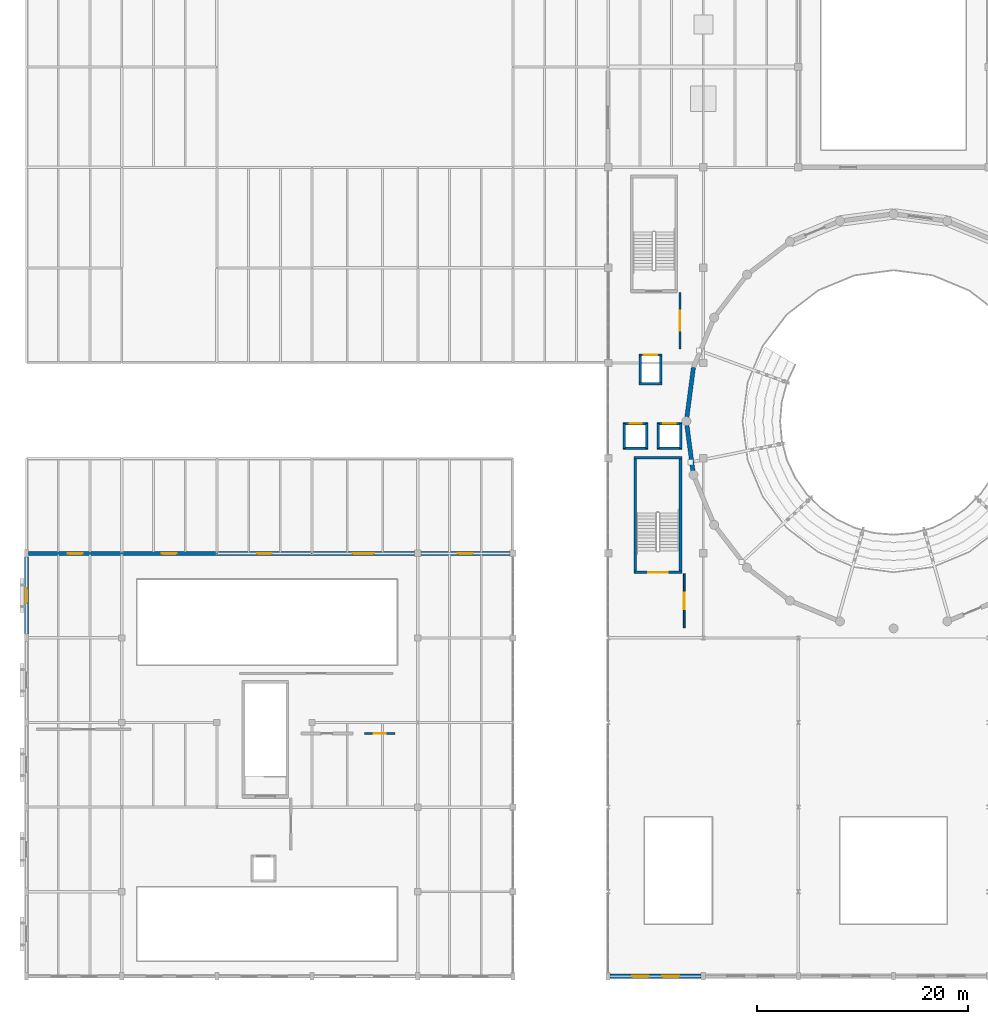
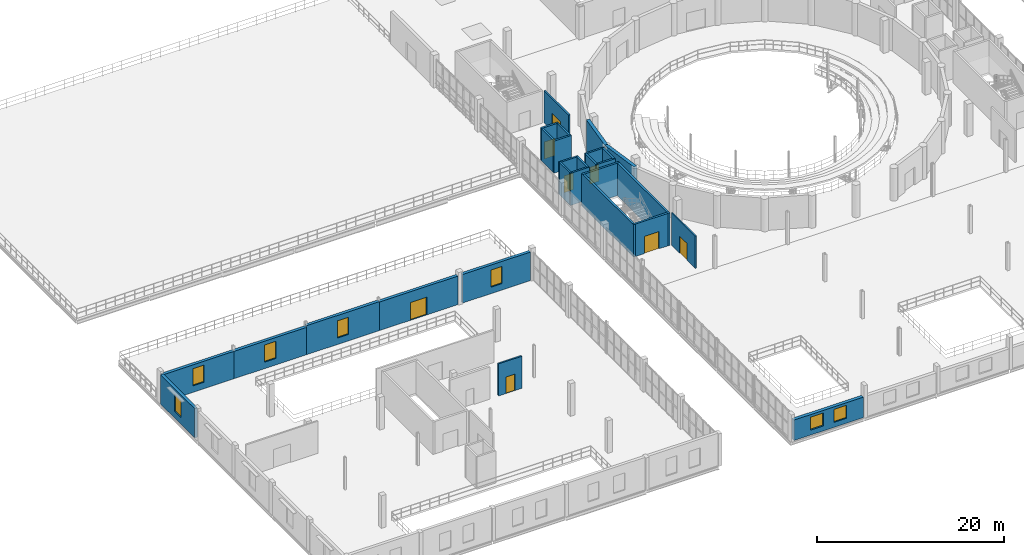
# One storey, part 55 of 73: 28 walls, 8 doors, 7 windows, 15 openings.
"""IFC4 building model written with IfcOpenShell, lengths in metres."""

from ifc_helpers import new_model, si_unit, direction, frame, frame_2d, origin, place, context, subcontext, project, spatial, rectangle, extrude, material, layer, layer_set, type_object, element, fill, save


model = new_model("IFC4")

# Units and contexts
model_context = context("Model", 3, precision=1e-05, world=origin(), true_north=direction((0.0, 1.0)))
body_context = subcontext(model_context, "Body", "Model", "MODEL_VIEW")
ifc_project = project(units=[si_unit("LENGTHUNIT", "METRE"), si_unit("AREAUNIT", "SQUARE_METRE"), si_unit("VOLUMEUNIT", "CUBIC_METRE"), si_unit("PLANEANGLEUNIT", "RADIAN"), si_unit("MASSUNIT", "GRAM", prefix="KILO")], contexts=[model_context])

# Site, building, storey
site_placement = place(None, origin())
site = spatial("IfcSite", under=ifc_project, at=site_placement, CompositionType="ELEMENT")
building_placement = place(site_placement, origin())
building = spatial("IfcBuilding", under=site, at=building_placement, Name="Marnock Terrace Opera House", CompositionType="ELEMENT")
storey_placement = place(building_placement, frame((0.0, 0.0, 14.699951171875)))
storey = spatial("IfcBuildingStorey", under=building, at=storey_placement, Name="L03", CompositionType="ELEMENT", Elevation=14.699951171875)

# Wall, opening, window
ifc_material_1 = material(Name="Basket Range sandstone ashlar masonry", Category="masonry")
ifc_layer_1 = layer(ifc_material_1, 0.364990234375)
ifc_layer_set_1 = layer_set([ifc_layer_1], Name="Basket Range sandstone ashlar masonry")
wall_type_1 = type_object("IfcWallType", Name="EW-ASHLAR-365", PredefinedType="SOLIDWALL", material=ifc_layer_set_1)
wall_1_placement = place(storey_placement, frame((0.0, 40.345947265625, 0.0), z_axis=(0.0, 0.0, 1.0), x_axis=(0.0, 1.0, 0.0)))
wall_1 = element("IfcWall", 1, at=wall_1_placement, inside=storey, type_object=wall_type_1, Name="L03 Volume 3 west sandstone wall 5", PredefinedType="SOLIDWALL", context=body_context, shape_type="SweptSolid", body=[
    extrude(rectangle(XDim=7.30810546875, YDim=0.364990234375, at=frame_2d((3.654052734375, 0.0))), origin(), (0.0, 0.0, 1.0), 3.841552734375),
])
opening_1_placement = place(wall_1_placement, frame((2.9541015625, 0.0, 0.85009765625)))
opening_1 = element("IfcOpeningElement", 2, at=opening_1_placement, cuts=wall_1, Name="Opening WT-139", PredefinedType="OPENING", context=body_context, shape_type="SweptSolid", body=[
    extrude(rectangle(XDim=1.39990234375, YDim=2.25, at=frame_2d((0.699951171875, 1.125))), frame((0.0, 0.1923828125, 0.0), z_axis=(0.0, -1.0, 0.0), x_axis=(1.0, 0.0, 0.0)), (0.0, 0.0, 1.0), 0.385009765625),
])
ifc_material_2 = material(Name="Double-glazed acoustic low-E laminated glass", Category="glass")
window_type_1 = type_object("IfcWindowType", Name="WT-SUITE-1400", PartitioningType="SINGLE_PANEL", PredefinedType="WINDOW", material=ifc_material_2)
window_1_placement = place(opening_1_placement, origin())
window_1 = element("IfcWindow", 3, at=window_1_placement, inside=storey, type_object=window_type_1, Name="L03 facade window EW-V3W-L03-5.1", OverallHeight=2.25, OverallWidth=1.39990234375, PartitioningType="SINGLE_PANEL", PredefinedType="WINDOW", context=body_context, shape_type="SweptSolid", body=[
    extrude(rectangle(XDim=1.39990234375, YDim=2.25, at=frame_2d((0.699951171875, 1.125))), frame((0.0, 0.030029296875, 0.0), z_axis=(0.0, -1.0, 0.0), x_axis=(1.0, 0.0, 0.0)), (0.0, 0.0, 1.0), 0.06005859375),
])
fill(opening_1, window_1)

wall_2_placement = place(storey_placement, frame((0.196044921875, 48.0, 0.0), z_axis=(0.0, 0.0, 1.0), x_axis=(1.0, 0.0, 0.0)))
wall_2 = element("IfcWall", 4, at=wall_2_placement, inside=storey, type_object=wall_type_1, Name="L03 Volume 3 north sandstone wall 1", PredefinedType="SOLIDWALL", context=body_context, shape_type="SweptSolid", body=[
    extrude(rectangle(XDim=8.803955078125, YDim=0.364990234375, at=frame_2d((4.40185546875, 0.0))), origin(), (0.0, 0.0, 1.0), 3.593017578125),
])
opening_2_placement = place(wall_2_placement, frame((3.701904296875, 0.0, 0.85009765625)))
opening_2 = element("IfcOpeningElement", 5, at=opening_2_placement, cuts=wall_2, Name="Opening WT-139", PredefinedType="OPENING", context=body_context, shape_type="SweptSolid", body=[
    extrude(rectangle(XDim=1.39990234375, YDim=2.25, at=frame_2d((0.699951171875, 1.125))), frame((0.0, 0.1923828125, 0.0), z_axis=(0.0, -1.0, 0.0), x_axis=(1.0, 0.0, 0.0)), (0.0, 0.0, 1.0), 0.385009765625),
])
window_2_placement = place(opening_2_placement, origin())
window_2 = element("IfcWindow", 6, at=window_2_placement, inside=storey, type_object=window_type_1, Name="L03 facade window EW-V3N-L03-1.1", OverallHeight=2.25, OverallWidth=1.39990234375, PartitioningType="SINGLE_PANEL", PredefinedType="WINDOW", context=body_context, shape_type="SweptSolid", body=[
    extrude(rectangle(XDim=1.39990234375, YDim=2.25, at=frame_2d((0.699951171875, 1.125))), frame((0.0, 0.030029296875, 0.0), z_axis=(0.0, -1.0, 0.0), x_axis=(1.0, 0.0, 0.0)), (0.0, 0.0, 1.0), 0.06005859375),
])
fill(opening_2, window_2)

wall_3_placement = place(storey_placement, frame((9.0, 48.0, 0.0), z_axis=(0.0, 0.0, 1.0), x_axis=(1.0, 0.0, 0.0)))
wall_3 = element("IfcWall", 7, at=wall_3_placement, inside=storey, type_object=wall_type_1, Name="L03 Volume 3 north sandstone wall 2", PredefinedType="SOLIDWALL", context=body_context, shape_type="SweptSolid", body=[
    extrude(rectangle(XDim=9.0, YDim=0.364990234375, at=frame_2d((4.5, 0.0))), origin(), (0.0, 0.0, 1.0), 3.58837890625),
])
opening_3_placement = place(wall_3_placement, frame((3.800048828125, 0.0, 0.85009765625)))
opening_3 = element("IfcOpeningElement", 8, at=opening_3_placement, cuts=wall_3, Name="Opening WT-139", PredefinedType="OPENING", context=body_context, shape_type="SweptSolid", body=[
    extrude(rectangle(XDim=1.39990234375, YDim=2.25, at=frame_2d((0.699951171875, 1.125))), frame((0.0, 0.1923828125, 0.0), z_axis=(0.0, -1.0, 0.0), x_axis=(1.0, 0.0, 0.0)), (0.0, 0.0, 1.0), 0.385009765625),
])
window_3_placement = place(opening_3_placement, origin())
window_3 = element("IfcWindow", 9, at=window_3_placement, inside=storey, type_object=window_type_1, Name="L03 facade window EW-V3N-L03-2.1", OverallHeight=2.25, OverallWidth=1.39990234375, PartitioningType="SINGLE_PANEL", PredefinedType="WINDOW", context=body_context, shape_type="SweptSolid", body=[
    extrude(rectangle(XDim=1.39990234375, YDim=2.25, at=frame_2d((0.699951171875, 1.125))), frame((0.0, 0.030029296875, 0.0), z_axis=(0.0, -1.0, 0.0), x_axis=(1.0, 0.0, 0.0)), (0.0, 0.0, 1.0), 0.06005859375),
])
fill(opening_3, window_3)

wall_4_placement = place(storey_placement, frame((18.0, 48.0, 0.0), z_axis=(0.0, 0.0, 1.0), x_axis=(1.0, 0.0, 0.0)))
wall_4 = element("IfcWall", 10, at=wall_4_placement, inside=storey, type_object=wall_type_1, Name="L03 Volume 3 north sandstone wall 3", PredefinedType="SOLIDWALL", context=body_context, shape_type="SweptSolid", body=[
    extrude(rectangle(XDim=9.0, YDim=0.364990234375, at=frame_2d((4.5, 0.0))), origin(), (0.0, 0.0, 1.0), 3.79736328125),
])
opening_4_placement = place(wall_4_placement, frame((3.800048828125, 0.0, 0.85009765625)))
opening_4 = element("IfcOpeningElement", 11, at=opening_4_placement, cuts=wall_4, Name="Opening WT-139", PredefinedType="OPENING", context=body_context, shape_type="SweptSolid", body=[
    extrude(rectangle(XDim=1.39990234375, YDim=2.25, at=frame_2d((0.699951171875, 1.125))), frame((0.0, 0.1923828125, 0.0), z_axis=(0.0, -1.0, 0.0), x_axis=(1.0, 0.0, 0.0)), (0.0, 0.0, 1.0), 0.385009765625),
])
window_4_placement = place(opening_4_placement, origin())
window_4 = element("IfcWindow", 12, at=window_4_placement, inside=storey, type_object=window_type_1, Name="L03 facade window EW-V3N-L03-3.1", OverallHeight=2.25, OverallWidth=1.39990234375, PartitioningType="SINGLE_PANEL", PredefinedType="WINDOW", context=body_context, shape_type="SweptSolid", body=[
    extrude(rectangle(XDim=1.39990234375, YDim=2.25, at=frame_2d((0.699951171875, 1.125))), frame((0.0, 0.030029296875, 0.0), z_axis=(0.0, -1.0, 0.0), x_axis=(1.0, 0.0, 0.0)), (0.0, 0.0, 1.0), 0.06005859375),
])
fill(opening_4, window_4)

# Wall, opening, door
wall_5_placement = place(storey_placement, frame((27.0, 48.0, 0.0), z_axis=(0.0, 0.0, 1.0), x_axis=(1.0, 0.0, 0.0)))
wall_5 = element("IfcWall", 13, at=wall_5_placement, inside=storey, type_object=wall_type_1, Name="L03 Volume 3 north sandstone wall 4", PredefinedType="SOLIDWALL", context=body_context, shape_type="SweptSolid", body=[
    extrude(rectangle(XDim=9.7041015625, YDim=0.364990234375, at=frame_2d((4.85205078125, 0.0))), origin(), (0.0, 0.0, 1.0), 3.73974609375),
])
opening_5_placement = place(wall_5_placement, frame((3.826904296875, 0.0, 0.0)))
opening_5 = element("IfcOpeningElement", 14, at=opening_5_placement, cuts=wall_5, Name="Opening TD-01", PredefinedType="OPENING", context=body_context, shape_type="SweptSolid", body=[
    extrude(rectangle(XDim=2.050048828125, YDim=2.320068359375, at=frame_2d((1.02490234375, 1.16015625))), frame((0.0, 0.1923828125, 0.0), z_axis=(0.0, -1.0, 0.0), x_axis=(1.0, 0.0, 0.0)), (0.0, 0.0, 1.0), 0.385009765625),
])
ifc_material_3 = material(Name="Anodised architectural bronze aluminium framing", Category="aluminium")
door_type_1 = type_object("IfcDoorType", Name="DT-TERR-2050", OperationType="NOTDEFINED", PredefinedType="DOOR", material=ifc_material_3)
door_1_placement = place(opening_5_placement, origin())
door_1 = element("IfcDoor", 15, at=door_1_placement, inside=storey, type_object=door_type_1, Name="Exterior door TD-01", OperationType="DOUBLE_DOOR_SINGLE_SWING", OverallHeight=2.320068359375, OverallWidth=2.050048828125, PredefinedType="DOOR", context=body_context, shape_type="SweptSolid", body=[
    extrude(rectangle(XDim=2.050048828125, YDim=2.320068359375, at=frame_2d((1.02490234375, 1.16015625))), frame((0.0, 0.02490234375, 0.0), z_axis=(0.0, -1.0, 0.0), x_axis=(1.0, 0.0, 0.0)), (0.0, 0.0, 1.0), 0.050048828125),
])
fill(opening_5, door_1)

# Wall, opening, window
wall_6_placement = place(storey_placement, frame((37.2958984375, 48.0, 0.0), z_axis=(0.0, 0.0, 1.0), x_axis=(1.0, 0.0, 0.0)))
wall_6 = element("IfcWall", 16, at=wall_6_placement, inside=storey, type_object=wall_type_1, Name="L03 Volume 3 north sandstone wall 5", PredefinedType="SOLIDWALL", context=body_context, shape_type="SweptSolid", body=[
    extrude(rectangle(XDim=8.408203125, YDim=0.364990234375, at=frame_2d((4.2041015625, 0.0))), origin(), (0.0, 0.0, 1.0), 3.73974609375),
])
opening_6_placement = place(wall_6_placement, frame((3.50390625, 0.0, 0.85009765625)))
opening_6 = element("IfcOpeningElement", 17, at=opening_6_placement, cuts=wall_6, Name="Opening WT-139", PredefinedType="OPENING", context=body_context, shape_type="SweptSolid", body=[
    extrude(rectangle(XDim=1.39990234375, YDim=2.25, at=frame_2d((0.699951171875, 1.125))), frame((0.0, 0.1923828125, 0.0), z_axis=(0.0, -1.0, 0.0), x_axis=(1.0, 0.0, 0.0)), (0.0, 0.0, 1.0), 0.385009765625),
])
window_5_placement = place(opening_6_placement, origin())
window_5 = element("IfcWindow", 18, at=window_5_placement, inside=storey, type_object=window_type_1, Name="L03 facade window EW-V3N-L03-5.1", OverallHeight=2.25, OverallWidth=1.39990234375, PartitioningType="SINGLE_PANEL", PredefinedType="WINDOW", context=body_context, shape_type="SweptSolid", body=[
    extrude(rectangle(XDim=1.39990234375, YDim=2.25, at=frame_2d((0.699951171875, 1.125))), frame((0.0, 0.030029296875, 0.0), z_axis=(0.0, -1.0, 0.0), x_axis=(1.0, 0.0, 0.0)), (0.0, 0.0, 1.0), 0.06005859375),
])
fill(opening_6, window_5)

# Wall, openings, windows
ifc_layer_2 = layer(ifc_material_1, 0.405029296875)
ifc_layer_set_2 = layer_set([ifc_layer_2], Name="Basket Range sandstone ashlar masonry")
wall_type_2 = type_object("IfcWallType", Name="EW-ASHLAR-405", PredefinedType="SOLIDWALL", material=ifc_layer_set_2)
wall_7_placement = place(storey_placement, frame((55.196044921875, 8.0, 0.0), z_axis=(0.0, 0.0, 1.0), x_axis=(1.0, 0.0, 0.0)))
wall_7 = element("IfcWall", 19, at=wall_7_placement, inside=storey, type_object=wall_type_2, Name="L03 Grand Hall south sandstone arcade bay 1", PredefinedType="SOLIDWALL", context=body_context, shape_type="SweptSolid", body=[
    extrude(rectangle(XDim=8.60791015625, YDim=0.405029296875, at=frame_2d((4.303955078125, 0.0))), origin(), (0.0, 0.0, 1.0), 2.679931640625),
])
opening_7_placement = place(wall_7_placement, frame((2.0693359375, 0.0, 0.64990234375)))
opening_7 = element("IfcOpeningElement", 20, at=opening_7_placement, cuts=wall_7, Name="Opening WT-107", PredefinedType="OPENING", context=body_context, shape_type="SweptSolid", body=[
    extrude(rectangle(XDim=1.60009765625, YDim=1.699951171875, at=frame_2d((0.800048828125, 0.85009765625))), frame((0.0, 0.21240234375, 0.0), z_axis=(0.0, -1.0, 0.0), x_axis=(1.0, 0.0, 0.0)), (0.0, 0.0, 1.0), 0.425048828125),
])
opening_8_placement = place(wall_7_placement, frame((4.938720703125, 0.0, 0.64990234375)))
opening_8 = element("IfcOpeningElement", 21, at=opening_8_placement, cuts=wall_7, Name="Opening WT-107", PredefinedType="OPENING", context=body_context, shape_type="SweptSolid", body=[
    extrude(rectangle(XDim=1.60009765625, YDim=1.699951171875, at=frame_2d((0.800048828125, 0.85009765625))), frame((0.0, 0.21240234375, 0.0), z_axis=(0.0, -1.0, 0.0), x_axis=(1.0, 0.0, 0.0)), (0.0, 0.0, 1.0), 0.425048828125),
])
window_type_2 = type_object("IfcWindowType", Name="WT-ATTIC-1600", PartitioningType="SINGLE_PANEL", PredefinedType="WINDOW", material=ifc_material_2)
window_6_placement = place(opening_7_placement, origin())
window_6 = element("IfcWindow", 22, at=window_6_placement, inside=storey, type_object=window_type_2, Name="L03 facade window EW-V1S-L03-1.1", OverallHeight=1.699951171875, OverallWidth=1.60009765625, PartitioningType="SINGLE_PANEL", PredefinedType="WINDOW", context=body_context, shape_type="SweptSolid", body=[
    extrude(rectangle(XDim=1.60009765625, YDim=1.699951171875, at=frame_2d((0.800048828125, 0.85009765625))), frame((0.0, 0.030029296875, 0.0), z_axis=(0.0, -1.0, 0.0), x_axis=(1.0, 0.0, 0.0)), (0.0, 0.0, 1.0), 0.06005859375),
])
fill(opening_7, window_6)
window_7_placement = place(opening_8_placement, origin())
window_7 = element("IfcWindow", 23, at=window_7_placement, inside=storey, type_object=window_type_2, Name="L03 facade window EW-V1S-L03-1.2", OverallHeight=1.699951171875, OverallWidth=1.60009765625, PartitioningType="SINGLE_PANEL", PredefinedType="WINDOW", context=body_context, shape_type="SweptSolid", body=[
    extrude(rectangle(XDim=1.60009765625, YDim=1.699951171875, at=frame_2d((0.800048828125, 0.85009765625))), frame((0.0, 0.030029296875, 0.0), z_axis=(0.0, -1.0, 0.0), x_axis=(1.0, 0.0, 0.0)), (0.0, 0.0, 1.0), 0.06005859375),
])
fill(opening_8, window_7)

# Wall, opening, door
ifc_material_4 = material(Name="Rendered acoustic concrete blockwork", Category="masonry")
ifc_layer_3 = layer(ifc_material_4, 0.175048828125)
ifc_layer_set_3 = layer_set([ifc_layer_3], Name="Rendered acoustic concrete blockwork")
wall_type_3 = type_object("IfcWallType", Name="IW-FIRE-175", PredefinedType="PARTITIONING", material=ifc_layer_set_3)
wall_8_placement = place(storey_placement, frame((62.199951171875, 40.949951171875, 0.0), z_axis=(0.0, 0.0, 1.0), x_axis=(0.0, 1.0, 0.0)))
wall_8 = element("IfcWall", 24, at=wall_8_placement, inside=storey, type_object=wall_type_3, Name="L03 C1 fire-rated lift and stair lobby wall", PredefinedType="PARTITIONING", context=body_context, shape_type="SweptSolid", body=[
    extrude(rectangle(XDim=5.10009765625, YDim=0.175048828125, at=frame_2d((2.550048828125, 0.0))), origin(), (0.0, 0.0, 1.0), 4.199951171875),
])
opening_9_placement = place(wall_8_placement, frame((1.77490234375, 0.0, 0.0)))
opening_9 = element("IfcOpeningElement", 25, at=opening_9_placement, cuts=wall_8, Name="Opening FD-C1-L03", PredefinedType="OPENING", context=body_context, shape_type="SweptSolid", body=[
    extrude(rectangle(XDim=1.550048828125, YDim=2.219970703125, at=frame_2d((0.77490234375, 1.10986328125))), frame((0.0, 0.097412109375, 0.0), z_axis=(0.0, -1.0, 0.0), x_axis=(1.0, 0.0, 0.0)), (0.0, 0.0, 1.0), 0.195068359375),
])
ifc_material_5 = material(Name="Fire-rated acoustic timber-core door assembly", Category="wood")
door_type_2 = type_object("IfcDoorType", Name="DT-LOBBY-1550", OperationType="NOTDEFINED", PredefinedType="DOOR", material=ifc_material_5)
door_2_placement = place(opening_9_placement, origin())
door_2 = element("IfcDoor", 26, at=door_2_placement, inside=storey, type_object=door_type_2, Name="L03 C1 lobby self-closing smoke door", OperationType="SINGLE_SWING_RIGHT", OverallHeight=2.219970703125, OverallWidth=1.550048828125, PredefinedType="DOOR", context=body_context, shape_type="SweptSolid", body=[
    extrude(rectangle(XDim=1.550048828125, YDim=2.219970703125, at=frame_2d((0.77490234375, 1.10986328125))), frame((0.0, 0.02490234375, 0.0), z_axis=(0.0, -1.0, 0.0), x_axis=(1.0, 0.0, 0.0)), (0.0, 0.0, 1.0), 0.050048828125),
])
fill(opening_9, door_2)

ifc_layer_4 = layer(ifc_material_4, 0.195068359375)
ifc_layer_set_4 = layer_set([ifc_layer_4], Name="Rendered acoustic concrete blockwork")
wall_type_4 = type_object("IfcWallType", Name="IW-FIRE-195", PredefinedType="PARTITIONING", material=ifc_layer_set_4)
wall_9_placement = place(storey_placement, frame((61.800048828125, 67.35009765625, 0.0), z_axis=(0.0, 0.0, 1.0), x_axis=(0.0, 1.0, 0.0)))
wall_9 = element("IfcWall", 27, at=wall_9_placement, inside=storey, type_object=wall_type_4, Name="L03 C3 fire-rated lift and stair lobby wall", PredefinedType="PARTITIONING", context=body_context, shape_type="SweptSolid", body=[
    extrude(rectangle(XDim=5.2998046875, YDim=0.195068359375, at=frame_2d((2.64990234375, 0.0))), origin(), (0.0, 0.0, 1.0), 4.199951171875),
])
opening_10_placement = place(wall_9_placement, frame((1.699951171875, 0.0, 0.0)))
opening_10 = element("IfcOpeningElement", 28, at=opening_10_placement, cuts=wall_9, Name="Opening FD-C3-L03", PredefinedType="OPENING", context=body_context, shape_type="SweptSolid", body=[
    extrude(rectangle(XDim=1.89990234375, YDim=2.300048828125, at=frame_2d((0.949951171875, 1.14990234375))), frame((0.0, 0.107421875, 0.0), z_axis=(0.0, -1.0, 0.0), x_axis=(1.0, 0.0, 0.0)), (0.0, 0.0, 1.0), 0.215087890625),
])
door_type_3 = type_object("IfcDoorType", Name="DT-LOBBY-1900", OperationType="NOTDEFINED", PredefinedType="DOOR", material=ifc_material_5)
door_3_placement = place(opening_10_placement, origin())
door_3 = element("IfcDoor", 29, at=door_3_placement, inside=storey, type_object=door_type_3, Name="L03 C3 lobby self-closing smoke door", OperationType="SINGLE_SWING_RIGHT", OverallHeight=2.300048828125, OverallWidth=1.89990234375, PredefinedType="DOOR", context=body_context, shape_type="SweptSolid", body=[
    extrude(rectangle(XDim=1.89990234375, YDim=2.300048828125, at=frame_2d((0.949951171875, 1.14990234375))), frame((0.0, 0.02490234375, 0.0), z_axis=(0.0, -1.0, 0.0), x_axis=(1.0, 0.0, 0.0)), (0.0, 0.0, 1.0), 0.050048828125),
])
fill(opening_10, door_3)

ifc_material_6 = material(Name="Moisture-resistant tiled service duct framing")
ifc_layer_5 = layer(ifc_material_6, 0.205078125)
ifc_layer_set_5 = layer_set([ifc_layer_5], Name="Moisture-resistant tiled service duct framing")
wall_type_5 = type_object("IfcWallType", Name="IW-PLUMB-205", PredefinedType="PLUMBINGWALL", material=ifc_layer_set_5)
wall_10_placement = place(storey_placement, frame((31.949951171875, 30.949951171875, 0.0), z_axis=(0.0, 0.0, 1.0), x_axis=(1.0, 0.0, 0.0)))
wall_10 = element("IfcWall", 30, at=wall_10_placement, inside=storey, type_object=wall_type_5, Name="L03 Accessible WC L03 West acoustic partition wall", PredefinedType="PLUMBINGWALL", context=body_context, shape_type="SweptSolid", body=[
    extrude(rectangle(XDim=2.900146484375, YDim=0.205078125, at=frame_2d((1.4501953125, 0.0))), origin(), (0.0, 0.0, 1.0), 4.199951171875),
])
opening_11_placement = place(wall_10_placement, frame((0.889892578125, 0.0, 0.0)))
opening_11 = element("IfcOpeningElement", 31, at=opening_11_placement, cuts=wall_10, Name="Opening D-L03-18", PredefinedType="OPENING", context=body_context, shape_type="SweptSolid", body=[
    extrude(rectangle(XDim=1.1201171875, YDim=2.159912109375, at=frame_2d((0.56005859375, 1.080078125))), frame((0.0, 0.112548828125, 0.0), z_axis=(0.0, -1.0, 0.0), x_axis=(1.0, 0.0, 0.0)), (0.0, 0.0, 1.0), 0.22509765625),
])
ifc_material_7 = material(Name="Solid-core Tasmanian oak acoustic door leaf")
door_type_4 = type_object("IfcDoorType", Name="DT-ACCWC-1120", OperationType="NOTDEFINED", PredefinedType="DOOR", material=ifc_material_7)
door_4_placement = place(opening_11_placement, origin())
door_4 = element("IfcDoor", 32, at=door_4_placement, inside=storey, type_object=door_type_4, Name="L03 Accessible WC L03 West entrance door", OperationType="SINGLE_SWING_LEFT", OverallHeight=2.159912109375, OverallWidth=1.1201171875, PredefinedType="DOOR", context=body_context, shape_type="SweptSolid", body=[
    extrude(rectangle(XDim=1.1201171875, YDim=2.159912109375, at=frame_2d((0.56005859375, 1.080078125))), frame((0.0, 0.02490234375, 0.0), z_axis=(0.0, -1.0, 0.0), x_axis=(1.0, 0.0, 0.0)), (0.0, 0.0, 1.0), 0.050048828125),
])
fill(opening_11, door_4)

ifc_layer_6 = layer(ifc_material_4, 0.22509765625)
ifc_layer_set_6 = layer_set([ifc_layer_6], Name="Rendered acoustic concrete blockwork")
wall_type_6 = type_object("IfcWallType", Name="IW-SHAFT-225", PredefinedType="SOLIDWALL", material=ifc_layer_set_6)
wall_11_placement = place(storey_placement, frame((56.427490234375, 60.260009765625, 0.0), z_axis=(0.0, 0.0, 1.0), x_axis=(1.0, 0.0, 0.0)))
wall_11 = element("IfcWall", 33, at=wall_11_placement, inside=storey, type_object=wall_type_6, Name="L03 Lift PL-01 front shaft wall", PredefinedType="SOLIDWALL", context=body_context, shape_type="SweptSolid", body=[
    extrude(rectangle(XDim=2.344970703125, YDim=0.22509765625, at=frame_2d((1.17236328125, 0.0))), origin(), (0.0, 0.0, 1.0), 4.199951171875),
])
opening_12_placement = place(wall_11_placement, frame((0.597412109375, 0.0, 0.0)))
opening_12 = element("IfcOpeningElement", 34, at=opening_12_placement, cuts=wall_11, Name="Opening LD-PL-01-L03", PredefinedType="OPENING", context=body_context, shape_type="SweptSolid", body=[
    extrude(rectangle(XDim=1.14990234375, YDim=2.199951171875, at=frame_2d((0.574951171875, 1.10009765625))), frame((0.0, 0.12255859375, 0.0), z_axis=(0.0, -1.0, 0.0), x_axis=(1.0, 0.0, 0.0)), (0.0, 0.0, 1.0), 0.2451171875),
])
ifc_material_8 = material(Name="Brushed stainless steel landing door assembly", Category="steel")
door_type_5 = type_object("IfcDoorType", Name="DT-LIFT-1150", OperationType="NOTDEFINED", PredefinedType="DOOR", material=ifc_material_8)
door_5_placement = place(opening_12_placement, origin())
door_5 = element("IfcDoor", 35, at=door_5_placement, inside=storey, type_object=door_type_5, Name="L03 Lift PL-01 sliding landing door", OperationType="DOUBLE_DOOR_SLIDING", OverallHeight=2.199951171875, OverallWidth=1.14990234375, PredefinedType="DOOR", context=body_context, shape_type="SweptSolid", body=[
    extrude(rectangle(XDim=1.14990234375, YDim=2.199951171875, at=frame_2d((0.574951171875, 1.10009765625))), frame((0.0, 0.02490234375, 0.0), z_axis=(0.0, -1.0, 0.0), x_axis=(1.0, 0.0, 0.0)), (0.0, 0.0, 1.0), 0.050048828125),
])
fill(opening_12, door_5)

# Walls
wall_12_placement = place(storey_placement, frame((56.427490234375, 57.93994140625, 0.0), z_axis=(0.0, 0.0, 1.0), x_axis=(1.0, 0.0, 0.0)))
element("IfcWall", 36, at=wall_12_placement, inside=storey, type_object=wall_type_6, Name="L03 Lift PL-01 rear shaft wall", PredefinedType="SOLIDWALL", context=body_context, shape_type="SweptSolid", body=[
    extrude(rectangle(XDim=2.344970703125, YDim=0.22509765625, at=frame_2d((1.17236328125, 0.0))), origin(), (0.0, 0.0, 1.0), 4.199951171875),
])
for number, where, z_axis, x_axis, name in (
    (37, (56.5400390625, 57.93994140625, 0.0), (0.0, 0.0, 1.0), (0.0, 1.0, 0.0), "L03 Lift PL-01 west shaft wall"),
    (38, (58.659912109375, 57.93994140625, 0.0), (0.0, 0.0, 1.0), (0.0, 1.0, 0.0), "L03 Lift PL-01 east shaft wall"),
):
    element("IfcWall", number, at=place(storey_placement, frame(where, z_axis=z_axis, x_axis=x_axis)), inside=storey, type_object=wall_type_6, Name=name, PredefinedType="SOLIDWALL", context=body_context, shape_type="SweptSolid", body=[
        extrude(rectangle(XDim=2.320068359375, YDim=0.22509765625, at=frame_2d((1.16015625, 0.0))), origin(), (0.0, 0.0, 1.0), 4.199951171875),
    ])

# Wall, opening, door
wall_13_placement = place(storey_placement, frame((59.62744140625, 60.260009765625, 0.0), z_axis=(0.0, 0.0, 1.0), x_axis=(1.0, 0.0, 0.0)))
wall_13 = element("IfcWall", 39, at=wall_13_placement, inside=storey, type_object=wall_type_6, Name="L03 Lift PL-02 front shaft wall", PredefinedType="SOLIDWALL", context=body_context, shape_type="SweptSolid", body=[
    extrude(rectangle(XDim=2.344970703125, YDim=0.22509765625, at=frame_2d((1.17236328125, 0.0))), origin(), (0.0, 0.0, 1.0), 4.199951171875),
])
opening_13_placement = place(wall_13_placement, frame((0.597412109375, 0.0, 0.0)))
opening_13 = element("IfcOpeningElement", 40, at=opening_13_placement, cuts=wall_13, Name="Opening LD-PL-02-L03", PredefinedType="OPENING", context=body_context, shape_type="SweptSolid", body=[
    extrude(rectangle(XDim=1.14990234375, YDim=2.199951171875, at=frame_2d((0.574951171875, 1.10009765625))), frame((0.0, 0.12255859375, 0.0), z_axis=(0.0, -1.0, 0.0), x_axis=(1.0, 0.0, 0.0)), (0.0, 0.0, 1.0), 0.2451171875),
])
door_6_placement = place(opening_13_placement, origin())
door_6 = element("IfcDoor", 41, at=door_6_placement, inside=storey, type_object=door_type_5, Name="L03 Lift PL-02 sliding landing door", OperationType="DOUBLE_DOOR_SLIDING", OverallHeight=2.199951171875, OverallWidth=1.14990234375, PredefinedType="DOOR", context=body_context, shape_type="SweptSolid", body=[
    extrude(rectangle(XDim=1.14990234375, YDim=2.199951171875, at=frame_2d((0.574951171875, 1.10009765625))), frame((0.0, 0.02490234375, 0.0), z_axis=(0.0, -1.0, 0.0), x_axis=(1.0, 0.0, 0.0)), (0.0, 0.0, 1.0), 0.050048828125),
])
fill(opening_13, door_6)

# Walls
wall_14_placement = place(storey_placement, frame((59.62744140625, 57.93994140625, 0.0), z_axis=(0.0, 0.0, 1.0), x_axis=(1.0, 0.0, 0.0)))
element("IfcWall", 42, at=wall_14_placement, inside=storey, type_object=wall_type_6, Name="L03 Lift PL-02 rear shaft wall", PredefinedType="SOLIDWALL", context=body_context, shape_type="SweptSolid", body=[
    extrude(rectangle(XDim=2.344970703125, YDim=0.22509765625, at=frame_2d((1.17236328125, 0.0))), origin(), (0.0, 0.0, 1.0), 4.199951171875),
])
for number, where, z_axis, x_axis, name in (
    (43, (59.739990234375, 57.93994140625, 0.0), (0.0, 0.0, 1.0), (0.0, 1.0, 0.0), "L03 Lift PL-02 west shaft wall"),
    (44, (61.860107421875, 57.93994140625, 0.0), (0.0, 0.0, 1.0), (0.0, 1.0, 0.0), "L03 Lift PL-02 east shaft wall"),
):
    element("IfcWall", number, at=place(storey_placement, frame(where, z_axis=z_axis, x_axis=x_axis)), inside=storey, type_object=wall_type_6, Name=name, PredefinedType="SOLIDWALL", context=body_context, shape_type="SweptSolid", body=[
        extrude(rectangle(XDim=2.320068359375, YDim=0.22509765625, at=frame_2d((1.16015625, 0.0))), origin(), (0.0, 0.0, 1.0), 4.199951171875),
    ])

# Wall, opening, door
wall_15_placement = place(storey_placement, frame((57.927490234375, 66.760009765625, 0.0), z_axis=(0.0, 0.0, 1.0), x_axis=(1.0, 0.0, 0.0)))
wall_15 = element("IfcWall", 45, at=wall_15_placement, inside=storey, type_object=wall_type_6, Name="L03 Lift EL-01 front shaft wall", PredefinedType="SOLIDWALL", context=body_context, shape_type="SweptSolid", body=[
    extrude(rectangle(XDim=2.14501953125, YDim=0.22509765625, at=frame_2d((1.072509765625, 0.0))), origin(), (0.0, 0.0, 1.0), 4.199951171875),
])
opening_14_placement = place(wall_15_placement, frame((0.422607421875, 0.0, 0.0)))
opening_14 = element("IfcOpeningElement", 46, at=opening_14_placement, cuts=wall_15, Name="Opening LD-EL-01-L03", PredefinedType="OPENING", context=body_context, shape_type="SweptSolid", body=[
    extrude(rectangle(XDim=1.300048828125, YDim=2.25, at=frame_2d((0.64990234375, 1.125))), frame((0.0, 0.12255859375, 0.0), z_axis=(0.0, -1.0, 0.0), x_axis=(1.0, 0.0, 0.0)), (0.0, 0.0, 1.0), 0.2451171875),
])
door_type_6 = type_object("IfcDoorType", Name="DT-LIFT-1300", OperationType="NOTDEFINED", PredefinedType="DOOR", material=ifc_material_8)
door_7_placement = place(opening_14_placement, origin())
door_7 = element("IfcDoor", 47, at=door_7_placement, inside=storey, type_object=door_type_6, Name="L03 Lift EL-01 sliding landing door", OperationType="DOUBLE_DOOR_SLIDING", OverallHeight=2.25, OverallWidth=1.300048828125, PredefinedType="DOOR", context=body_context, shape_type="SweptSolid", body=[
    extrude(rectangle(XDim=1.300048828125, YDim=2.25, at=frame_2d((0.64990234375, 1.125))), frame((0.0, 0.02490234375, 0.0), z_axis=(0.0, -1.0, 0.0), x_axis=(1.0, 0.0, 0.0)), (0.0, 0.0, 1.0), 0.050048828125),
])
fill(opening_14, door_7)

# Walls
wall_16_placement = place(storey_placement, frame((57.927490234375, 64.0400390625, 0.0), z_axis=(0.0, 0.0, 1.0), x_axis=(1.0, 0.0, 0.0)))
element("IfcWall", 48, at=wall_16_placement, inside=storey, type_object=wall_type_6, Name="L03 Lift EL-01 rear shaft wall", PredefinedType="SOLIDWALL", context=body_context, shape_type="SweptSolid", body=[
    extrude(rectangle(XDim=2.14501953125, YDim=0.22509765625, at=frame_2d((1.072509765625, 0.0))), origin(), (0.0, 0.0, 1.0), 4.199951171875),
])
for number, where, z_axis, x_axis, name in (
    (49, (58.0400390625, 64.0400390625, 0.0), (0.0, 0.0, 1.0), (0.0, 1.0, 0.0), "L03 Lift EL-01 west shaft wall"),
    (50, (59.9599609375, 64.0400390625, 0.0), (0.0, 0.0, 1.0), (0.0, 1.0, 0.0), "L03 Lift EL-01 east shaft wall"),
):
    element("IfcWall", number, at=place(storey_placement, frame(where, z_axis=z_axis, x_axis=x_axis)), inside=storey, type_object=wall_type_6, Name=name, PredefinedType="SOLIDWALL", context=body_context, shape_type="SweptSolid", body=[
        extrude(rectangle(XDim=2.719970703125, YDim=0.22509765625, at=frame_2d((1.35986328125, 0.0))), origin(), (0.0, 0.0, 1.0), 4.199951171875),
    ])

# Wall, opening, door
ifc_material_9 = material(Name="Concrete N40 (f'c = 40 MPa)", Category="concrete")
ifc_layer_7 = layer(ifc_material_9, 0.25)
ifc_layer_set_7 = layer_set([ifc_layer_7], Name="Concrete N40 (f'c = 40 MPa)")
wall_type_7 = type_object("IfcWallType", Name="SW-CORE-250", PredefinedType="SHEAR", material=ifc_layer_set_7)
wall_17_placement = place(storey_placement, frame((57.43505859375, 46.199951171875, 0.0), z_axis=(0.0, 0.0, 1.0), x_axis=(1.0, 0.0, 0.0)))
wall_17 = element("IfcWall", 51, at=wall_17_placement, inside=storey, type_object=wall_type_7, Name="L03 Core C1 FRL 120/120/120 shear wall S", PredefinedType="SHEAR", context=body_context, shape_type="SweptSolid", body=[
    extrude(rectangle(XDim=4.530029296875, YDim=0.25, at=frame_2d((2.26513671875, 0.0))), origin(), (0.0, 0.0, 1.0), 4.25),
])
opening_15_placement = place(wall_17_placement, frame((1.340087890625, 0.0, 0.0)))
opening_15 = element("IfcOpeningElement", 52, at=opening_15_placement, cuts=wall_17, Name="Opening SD-C1-L03", PredefinedType="OPENING", context=body_context, shape_type="SweptSolid", body=[
    extrude(rectangle(XDim=1.85009765625, YDim=2.25, at=frame_2d((0.925048828125, 1.125))), frame((0.0, 0.135009765625, 0.0), z_axis=(0.0, -1.0, 0.0), x_axis=(1.0, 0.0, 0.0)), (0.0, 0.0, 1.0), 0.27001953125),
])
door_type_7 = type_object("IfcDoorType", Name="DT-STAIR-1850", OperationType="NOTDEFINED", PredefinedType="DOOR", material=ifc_material_5)
door_8_placement = place(opening_15_placement, origin())
door_8 = element("IfcDoor", 53, at=door_8_placement, inside=storey, type_object=door_type_7, Name="L03 Stair ST-01 fire-isolated exit door", OperationType="SINGLE_SWING_LEFT", OverallHeight=2.25, OverallWidth=1.85009765625, PredefinedType="DOOR", context=body_context, shape_type="SweptSolid", body=[
    extrude(rectangle(XDim=1.85009765625, YDim=2.25, at=frame_2d((0.925048828125, 1.125))), frame((0.0, 0.02490234375, 0.0), z_axis=(0.0, -1.0, 0.0), x_axis=(1.0, 0.0, 0.0)), (0.0, 0.0, 1.0), 0.050048828125),
])
fill(opening_15, door_8)

# Walls
wall_18_placement = place(storey_placement, frame((57.43505859375, 57.0400390625, 0.0), z_axis=(0.0, 0.0, 1.0), x_axis=(1.0, 0.0, 0.0)))
element("IfcWall", 54, at=wall_18_placement, inside=storey, type_object=wall_type_7, Name="L03 Core C1 FRL 120/120/120 shear wall N", PredefinedType="SHEAR", context=body_context, shape_type="SweptSolid", body=[
    extrude(rectangle(XDim=4.530029296875, YDim=0.25, at=frame_2d((2.26513671875, 0.0))), origin(), (0.0, 0.0, 1.0), 4.25),
])
for number, where, z_axis, x_axis, name in (
    (55, (57.56005859375, 46.074951171875, 0.0), (0.0, 0.0, 1.0), (0.0, 1.0, 0.0), "L03 Core C1 FRL 120/120/120 shear wall W"),
    (56, (61.840087890625, 46.074951171875, 0.0), (0.0, 0.0, 1.0), (0.0, 1.0, 0.0), "L03 Core C1 FRL 120/120/120 shear wall E"),
):
    element("IfcWall", number, at=place(storey_placement, frame(where, z_axis=z_axis, x_axis=x_axis)), inside=storey, type_object=wall_type_7, Name=name, PredefinedType="SHEAR", context=body_context, shape_type="SweptSolid", body=[
        extrude(rectangle(XDim=11.090087890625, YDim=0.25, at=frame_2d((5.544921875, 0.0))), origin(), (0.0, 0.0, 1.0), 4.25),
    ])
ifc_material_10 = material(Name="Concrete N50 (f'c = 50 MPa)", Category="concrete")
ifc_layer_8 = layer(ifc_material_10, 0.39990234375)
ifc_layer_set_8 = layer_set([ifc_layer_8], Name="Concrete N50 (f'c = 50 MPa)")
wall_type_8 = type_object("IfcWallType", Name="SW-DRUM-400", PredefinedType="SHEAR", material=ifc_layer_set_8)
for number, where, z_axis, x_axis, name in (
    (57, (63.068115234375, 65.572998046875, 0.0), (0.0, 0.0, 1.0), (-0.130591512704, -0.99143625958, 0.0), "L03 cylindrical auditorium drum shear wall 12"),
    (58, (62.39990234375, 60.5, 0.0), (0.0, 0.0, 1.0), (0.130591512704, -0.99143625958, 0.0), "L03 cylindrical auditorium drum shear wall 13"),
):
    element("IfcWall", number, at=place(storey_placement, frame(where, z_axis=z_axis, x_axis=x_axis)), inside=storey, type_object=wall_type_8, Name=name, PredefinedType="SHEAR", context=body_context, shape_type="SweptSolid", body=[
        extrude(rectangle(XDim=5.11669921875, YDim=0.39990234375, at=frame_2d((2.558349609375, 0.0))), origin(), (0.0, 0.0, 1.0), 4.25),
    ])

save(model, "model.ifc")
